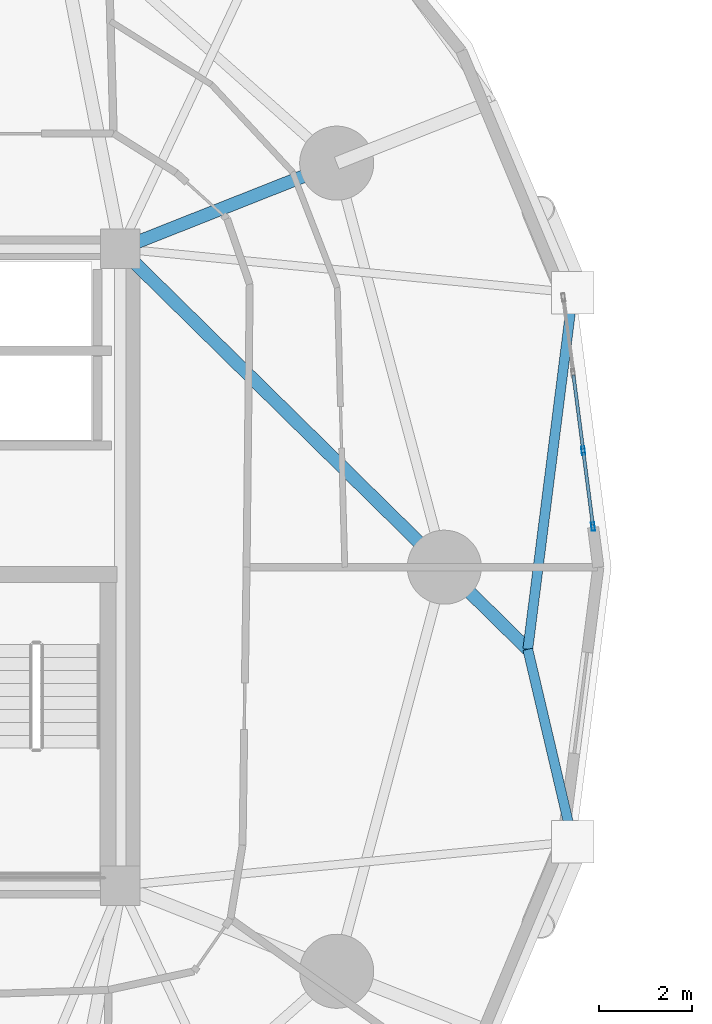
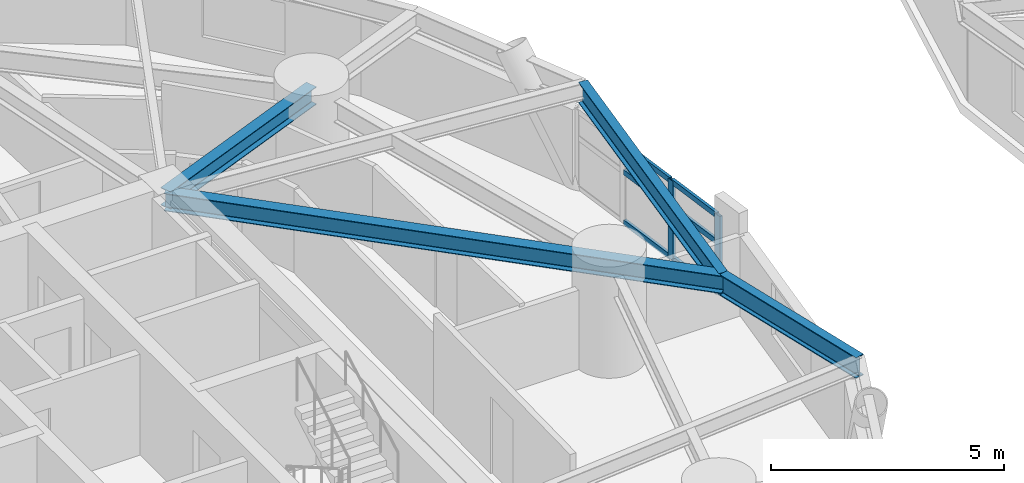
# One storey, part 2 of 20: 8 members, 4 beams, 1 element without a shape of its own.
"""IFC4 building model written with IfcOpenShell, lengths in metres."""

from ifc_helpers import new_model, si_unit, direction, frame, origin, origin_2d, place, context, subcontext, project, spatial, hollow_rectangle, i_section, extrude, material, layer, layer_set, material_profile, profile_set, type_object, element, aggregate, save


model = new_model("IFC4")

# Units and contexts
model_context = context("Model", 3, precision=1e-05, world=origin(), true_north=direction((0.0, 1.0)))
body_context = subcontext(model_context, "Body", "Model", "MODEL_VIEW")
ifc_project = project(units=[si_unit("LENGTHUNIT", "METRE"), si_unit("AREAUNIT", "SQUARE_METRE"), si_unit("VOLUMEUNIT", "CUBIC_METRE"), si_unit("PLANEANGLEUNIT", "RADIAN"), si_unit("MASSUNIT", "GRAM", prefix="KILO")], contexts=[model_context])

# Site, building, storey
site_placement = place(None, origin())
site = spatial("IfcSite", under=ifc_project, at=site_placement, CompositionType="ELEMENT")
building_placement = place(site_placement, origin())
building = spatial("IfcBuilding", under=site, at=building_placement, Name="Cununo Teusaquillo Station Towers", CompositionType="ELEMENT")
storey_placement = place(building_placement, frame((0.0, 0.0, 39.4599609375)))
storey = spatial("IfcBuildingStorey", under=building, at=storey_placement, Name="L11", CompositionType="ELEMENT", Elevation=39.4599609375)

# Beams
ifc_material_1 = material(Name="Steel ASTM A572 Grade 50", Category="steel")
ifc_material_profile_1 = material_profile(ifc_material_1, i_section(OverallWidth=0.280029296875, OverallDepth=0.462890625, WebThickness=0.0107421875, FlangeThickness=0.017333984375, FilletRadius=0.013916015625, at=origin_2d()), Name="W18X76")
ifc_profile_set_1 = profile_set([ifc_material_profile_1], Name="Steel ASTM A572 Grade 50")
beam_type_1 = type_object("IfcBeamType", Name="BM-RAD-G1", PredefinedType="BEAM", material=ifc_profile_set_1)
beam_1_placement = place(storey_placement, frame((21.675048828125, 31.3798828125, 2.41845703125), z_axis=(0.713055489462, -0.701107601548, 0.0), x_axis=(0.701107601548, 0.713055489462, 0.0)))
element("IfcBeam", 1, at=beam_1_placement, inside=storey, type_object=beam_type_1, Name="L11 Tower A Continuous Overhanging Radial Girder 01", PredefinedType="BEAM", context=body_context, shape_type="SweptSolid", body=[
    extrude(i_section(OverallWidth=0.280029296875, OverallDepth=0.462890625, WebThickness=0.0107421875, FlangeThickness=0.017333984375, FilletRadius=0.013916015625, at=origin_2d()), origin(), (0.0, 0.0, 1.0), 12.342041015625),
])
beam_2_placement = place(storey_placement, frame((21.675048828125, 31.3798828125, 2.41845703125), z_axis=(0.929864104313, 0.367903176814, 0.0), x_axis=(-0.367903176814, 0.929864104313, 0.0)))
element("IfcBeam", 2, at=beam_2_placement, inside=storey, type_object=beam_type_1, Name="L11 Tower A Radial Girder 02A", PredefinedType="BEAM", context=body_context, shape_type="SweptSolid", body=[
    extrude(i_section(OverallWidth=0.280029296875, OverallDepth=0.462890625, WebThickness=0.0107421875, FlangeThickness=0.017333984375, FilletRadius=0.013916015625, at=origin_2d()), origin(), (0.0, 0.0, 1.0), 5.02490234375),
])
ifc_material_2 = material(Name="Steel ASTM A572 Grade 50", Category="steel")
ifc_material_profile_2 = material_profile(ifc_material_2, i_section(OverallWidth=0.214111328125, OverallDepth=0.549072265625, WebThickness=0.0146484375, FlangeThickness=0.023681640625, FilletRadius=0.014892578125, at=origin_2d()), Name="W21X93")
ifc_profile_set_2 = profile_set([ifc_material_profile_2], Name="Steel ASTM A572 Grade 50")
beam_type_2 = type_object("IfcBeamType", Name="BM-RING-Z1", PredefinedType="SPANDREL", material=ifc_profile_set_2)
beam_3_placement = place(storey_placement, frame((30.4755859375, 22.726806640625, 2.37548828125), z_axis=(0.125458746224, 0.992098837312, 0.0), x_axis=(-0.992098837312, 0.125458746224, 0.0)))
element("IfcBeam", 3, at=beam_3_placement, inside=storey, type_object=beam_type_2, Name="L11 Tower A Spandrel Ring Beam 01", PredefinedType="SPANDREL", context=body_context, shape_type="SweptSolid", body=[
    extrude(i_section(OverallWidth=0.214111328125, OverallDepth=0.549072265625, WebThickness=0.0146484375, FlangeThickness=0.023681640625, FilletRadius=0.014892578125, at=origin_2d()), origin(), (0.0, 0.0, 1.0), 7.764404296875),
])
beam_4_placement = place(storey_placement, frame((31.44970703125, 18.570068359375, 2.37548828125), z_axis=(-0.228165913287, 0.97362226557, 0.0), x_axis=(-0.97362226557, -0.228165913287, 0.0)))
element("IfcBeam", 4, at=beam_4_placement, inside=storey, type_object=beam_type_2, Name="L11 Tower A Spandrel Ring Beam 20", PredefinedType="SPANDREL", context=body_context, shape_type="SweptSolid", body=[
    extrude(i_section(OverallWidth=0.214111328125, OverallDepth=0.549072265625, WebThickness=0.0146484375, FlangeThickness=0.023681640625, FilletRadius=0.014892578125, at=origin_2d()), origin(), (0.0, 0.0, 1.0), 4.269287109375),
])

# Curtain wall, members
ifc_material_3 = material(Name="Ceramic-fritted dark low-E double glazing", Category="glass")
ifc_layer = layer(ifc_material_3, 0.179931640625)
ifc_layer_set = layer_set([ifc_layer], Name="Ceramic-fritted dark low-E double glazing")
curtain_wall_type = type_object("IfcCurtainWallType", Name="CW-SYS-02", PredefinedType="USERDEFINED", material=ifc_layer_set)
curtain_wall_placement = place(storey_placement, origin())
curtain_wall = element("IfcCurtainWall", 5, at=curtain_wall_placement, inside=storey, type_object=curtain_wall_type, Name="L11 Tower A Facade Curtain Wall C00", ObjectType="FRITTED GLAZING", PredefinedType="USERDEFINED")
ifc_material_4 = material(Name="Anodised dark bronze aluminium EN AW-6063-T6", Category="aluminium")
ifc_material_profile_3 = material_profile(ifc_material_4, hollow_rectangle(XDim=0.070068359375, YDim=0.179931640625, WallThickness=0.00390625, at=origin_2d()), Name="CW-MULL-70x180")
ifc_profile_set_3 = profile_set([ifc_material_profile_3], Name="Anodised dark bronze aluminium EN AW-6063-T6")
member_type_1 = type_object("IfcMemberType", Name="CWM-180", PredefinedType="MULLION", material=ifc_profile_set_3)
member_1_placement = place(storey_placement, frame((31.67333984375, 27.01611328125, 0.0), z_axis=(0.0, 0.0, 1.0), x_axis=(0.991730798481, 0.128335588771, 0.0)))
member_1 = element("IfcMember", 6, at=member_1_placement, type_object=member_type_1, Name="CW-02 mullion 3", PredefinedType="MULLION", context=body_context, shape_type="SweptSolid", body=[
    extrude(hollow_rectangle(XDim=0.070068359375, YDim=0.179931640625, WallThickness=0.00390625, at=origin_2d()), origin(), (0.0, 0.0, 1.0), 2.072998046875),
])
member_2_placement = place(storey_placement, frame((31.885498046875, 25.377685546875, 0.0), z_axis=(0.0, 0.0, 1.0), x_axis=(0.991730798481, 0.128335588771, 0.0)))
member_2 = element("IfcMember", 7, at=member_2_placement, type_object=member_type_1, Name="CW-02 mullion 4", PredefinedType="MULLION", context=body_context, shape_type="SweptSolid", body=[
    extrude(hollow_rectangle(XDim=0.070068359375, YDim=0.179931640625, WallThickness=0.00390625, at=origin_2d()), origin(), (0.0, 0.0, 1.0), 2.072998046875),
])
ifc_material_5 = material(Name="Anodised dark bronze aluminium EN AW-6063-T6", Category="aluminium")
ifc_material_profile_4 = material_profile(ifc_material_5, hollow_rectangle(XDim=0.070068359375, YDim=0.139892578125, WallThickness=0.00390625, at=origin_2d()), Name="CW-TRAN-70x140")
ifc_profile_set_4 = profile_set([ifc_material_profile_4], Name="Anodised dark bronze aluminium EN AW-6063-T6")
member_type_2 = type_object("IfcMemberType", Name="CWT-140", PredefinedType="USERDEFINED", material=ifc_profile_set_4)
member_3_placement = place(storey_placement, frame((31.46142578125, 28.654296875, 0.03515625), z_axis=(0.128345027476, -0.991729577013, 0.0), x_axis=(0.991729577013, 0.128345027476, 0.0)))
member_3 = element("IfcMember", 8, at=member_3_placement, type_object=member_type_2, Name="CW-02 transom 2.1", ObjectType="TRANSOM", PredefinedType="USERDEFINED", context=body_context, shape_type="SweptSolid", body=[
    extrude(hollow_rectangle(XDim=0.070068359375, YDim=0.139892578125, WallThickness=0.00390625, at=origin_2d()), origin(), (0.0, 0.0, 1.0), 1.616943359375),
])
member_4_placement = place(storey_placement, frame((31.46142578125, 28.654296875, 1.346923828125), z_axis=(0.128345027476, -0.991729577013, 0.0), x_axis=(0.991729577013, 0.128345027476, 0.0)))
member_4 = element("IfcMember", 9, at=member_4_placement, type_object=member_type_2, Name="CW-02 transom 2.2", ObjectType="TRANSOM", PredefinedType="USERDEFINED", context=body_context, shape_type="SweptSolid", body=[
    extrude(hollow_rectangle(XDim=0.070068359375, YDim=0.139892578125, WallThickness=0.00390625, at=origin_2d()), origin(), (0.0, 0.0, 1.0), 1.616943359375),
])
member_5_placement = place(storey_placement, frame((31.46142578125, 28.654296875, 2.0380859375), z_axis=(0.128345027476, -0.991729577013, 0.0), x_axis=(0.991729577013, 0.128345027476, 0.0)))
member_5 = element("IfcMember", 10, at=member_5_placement, type_object=member_type_2, Name="CW-02 transom 2.3", ObjectType="TRANSOM", PredefinedType="USERDEFINED", context=body_context, shape_type="SweptSolid", body=[
    extrude(hollow_rectangle(XDim=0.070068359375, YDim=0.139892578125, WallThickness=0.00390625, at=origin_2d()), origin(), (0.0, 0.0, 1.0), 1.616943359375),
])
member_6_placement = place(storey_placement, frame((31.677978515625, 26.981201171875, 0.03515625), z_axis=(0.128250458302, -0.991741811131, 0.0), x_axis=(0.991741811131, 0.128250458302, 0.0)))
member_6 = element("IfcMember", 11, at=member_6_placement, type_object=member_type_2, Name="CW-02 transom 3.1", ObjectType="TRANSOM", PredefinedType="USERDEFINED", context=body_context, shape_type="SweptSolid", body=[
    extrude(hollow_rectangle(XDim=0.070068359375, YDim=0.139892578125, WallThickness=0.00390625, at=origin_2d()), origin(), (0.0, 0.0, 1.0), 1.58203125),
])
member_7_placement = place(storey_placement, frame((31.677978515625, 26.981201171875, 1.346923828125), z_axis=(0.128250458302, -0.991741811131, 0.0), x_axis=(0.991741811131, 0.128250458302, 0.0)))
member_7 = element("IfcMember", 12, at=member_7_placement, type_object=member_type_2, Name="CW-02 transom 3.2", ObjectType="TRANSOM", PredefinedType="USERDEFINED", context=body_context, shape_type="SweptSolid", body=[
    extrude(hollow_rectangle(XDim=0.070068359375, YDim=0.139892578125, WallThickness=0.00390625, at=origin_2d()), origin(), (0.0, 0.0, 1.0), 1.58203125),
])
member_8_placement = place(storey_placement, frame((31.677978515625, 26.981201171875, 2.0380859375), z_axis=(0.128250458302, -0.991741811131, 0.0), x_axis=(0.991741811131, 0.128250458302, 0.0)))
member_8 = element("IfcMember", 13, at=member_8_placement, type_object=member_type_2, Name="CW-02 transom 3.3", ObjectType="TRANSOM", PredefinedType="USERDEFINED", context=body_context, shape_type="SweptSolid", body=[
    extrude(hollow_rectangle(XDim=0.070068359375, YDim=0.139892578125, WallThickness=0.00390625, at=origin_2d()), origin(), (0.0, 0.0, 1.0), 1.58203125),
])
aggregate(curtain_wall, [member_1, member_2, member_3, member_4, member_5, member_6, member_7, member_8])

save(model, "model.ifc")
